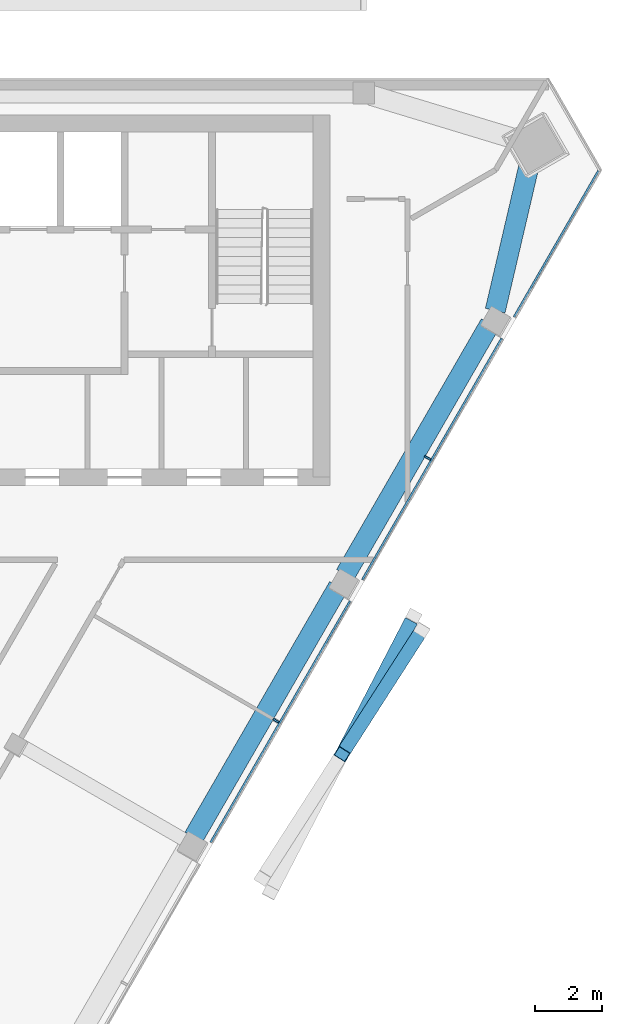
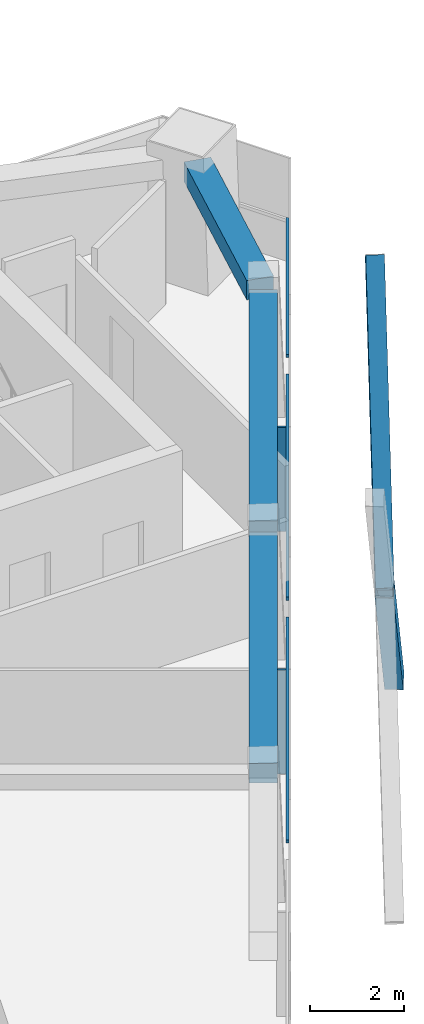
# One storey, part 4 of 10: 7 members, 3 beams, 1 element without a shape of its own.
"""IFC4 building model written with IfcOpenShell, lengths in metres."""

from ifc_helpers import new_model, si_unit, direction, frame, origin, origin_2d, place, context, subcontext, project, spatial, rectangle, hollow_rectangle, extrude, material, layer, layer_set, material_profile, profile_set, type_object, element, aggregate, save


model = new_model("IFC4")

# Units and contexts
model_context = context("Model", 3, precision=1e-05, world=origin(), true_north=direction((0.0, 1.0)))
body_context = subcontext(model_context, "Body", "Model", "MODEL_VIEW")
ifc_project = project(units=[si_unit("LENGTHUNIT", "METRE"), si_unit("AREAUNIT", "SQUARE_METRE"), si_unit("VOLUMEUNIT", "CUBIC_METRE"), si_unit("PLANEANGLEUNIT", "RADIAN"), si_unit("MASSUNIT", "GRAM", prefix="KILO")], contexts=[model_context])

# Site, building, storey
site_placement = place(None, origin())
site = spatial("IfcSite", under=ifc_project, at=site_placement, CompositionType="ELEMENT")
building_placement = place(site_placement, origin())
building = spatial("IfcBuilding", under=site, at=building_placement, Name="Altiplano Prism Tower", CompositionType="ELEMENT")
storey_placement = place(building_placement, frame((0.0, 0.0, 347.199951171875)))
storey = spatial("IfcBuildingStorey", under=building, at=storey_placement, Name="L90", CompositionType="ELEMENT", Elevation=347.199951171875)

# Curtain wall, members
ifc_material_1 = material(Name="Aluminium and glass", Category="aluminium")
ifc_layer = layer(ifc_material_1, 0.303955078125)
ifc_layer_set = layer_set([ifc_layer], Name="Aluminium and glass")
curtain_wall_type = type_object("IfcCurtainWallType", Name="CW2 lounge-band unitised glazing", PredefinedType="NOTDEFINED", material=ifc_layer_set)
curtain_wall_placement = place(storey_placement, origin())
curtain_wall = element("IfcCurtainWall", 1, at=curtain_wall_placement, inside=storey, type_object=curtain_wall_type, Name="CW2 curtain wall south-east face L90", PredefinedType="NOTDEFINED")
ifc_material_2 = material(Name="Aluminium", Category="aluminium")
ifc_material_profile_1 = material_profile(ifc_material_2, rectangle(XDim=0.199951171875, YDim=0.06005859375, at=origin_2d()), Name="CW2 mullion 60 x 200")
ifc_profile_set_1 = profile_set([ifc_material_profile_1], Name="Aluminium")
member_type_1 = type_object("IfcMemberType", Name="CW2 mullion 60 x 200", PredefinedType="MULLION", material=ifc_profile_set_1)
member_1_placement = place(storey_placement, frame((95.895263671875, 85.9248046875, 0.0), z_axis=(0.0, 0.0, 1.0), x_axis=(-0.866025399727, 0.500000007028, 0.0)))
member_1 = element("IfcMember", 2, at=member_1_placement, type_object=member_type_1, Name="CW2 mullion", PredefinedType="MULLION", context=body_context, shape_type="SweptSolid", body=[
    extrude(rectangle(XDim=0.199951171875, YDim=0.06005859375, at=origin_2d()), origin(), (0.0, 0.0, 1.0), 2.699951171875),
])
member_2_placement = place(storey_placement, frame((100.395263671875, 93.71923828125, 0.0), z_axis=(0.0, 0.0, 1.0), x_axis=(-0.866025399727, 0.500000007028, 0.0)))
member_2 = element("IfcMember", 3, at=member_2_placement, type_object=member_type_1, Name="CW2 mullion", PredefinedType="MULLION", context=body_context, shape_type="SweptSolid", body=[
    extrude(rectangle(XDim=0.199951171875, YDim=0.06005859375, at=origin_2d()), origin(), (0.0, 0.0, 1.0), 2.699951171875),
])
ifc_material_profile_2 = material_profile(ifc_material_2, rectangle(XDim=0.06005859375, YDim=0.080078125, at=origin_2d()), Name="CW2 transom 80 x 60")
ifc_profile_set_2 = profile_set([ifc_material_profile_2], Name="Aluminium")
member_type_2 = type_object("IfcMemberType", Name="CW2 transom 80 x 60", PredefinedType="USERDEFINED", material=ifc_profile_set_2)
member_3_placement = place(storey_placement, frame((93.960205078125, 82.313232421875, 1.10009765625), z_axis=(0.499983951678, 0.866034669089, 0.0), x_axis=(-0.866034669089, 0.499983951678, 0.0)))
member_3 = element("IfcMember", 4, at=member_3_placement, type_object=member_type_2, Name="CW2 transom", ObjectType="TRANSOM", PredefinedType="USERDEFINED", context=body_context, shape_type="SweptSolid", body=[
    extrude(rectangle(XDim=0.06005859375, YDim=0.080078125, at=origin_2d()), origin(), (0.0, 0.0, 1.0), 8.270263671875),
])
member_4_placement = place(storey_placement, frame((98.460205078125, 90.107421875, 1.10009765625), z_axis=(0.499983951678, 0.866034669089, 0.0), x_axis=(-0.866034669089, 0.499983951678, 0.0)))
member_4 = element("IfcMember", 5, at=member_4_placement, type_object=member_type_2, Name="CW2 transom", ObjectType="TRANSOM", PredefinedType="USERDEFINED", context=body_context, shape_type="SweptSolid", body=[
    extrude(rectangle(XDim=0.06005859375, YDim=0.080078125, at=origin_2d()), origin(), (0.0, 0.0, 1.0), 8.270263671875),
])
member_5_placement = place(storey_placement, frame((102.960205078125, 97.901611328125, 1.10009765625), z_axis=(0.499970419673, 0.866042481321, 0.0), x_axis=(-0.866042481321, 0.499970419673, 0.0)))
member_5 = element("IfcMember", 6, at=member_5_placement, type_object=member_type_2, Name="CW2 transom", ObjectType="TRANSOM", PredefinedType="USERDEFINED", context=body_context, shape_type="SweptSolid", body=[
    extrude(rectangle(XDim=0.06005859375, YDim=0.080078125, at=origin_2d()), origin(), (0.0, 0.0, 1.0), 5.085205078125),
])
aggregate(curtain_wall, [member_1, member_3, member_2, member_4, member_5])

# Beams
ifc_material_3 = material(Name="Concrete C60/75", Category="concrete")
ifc_material_profile_3 = material_profile(ifc_material_3, rectangle(XDim=0.60009765625, YDim=0.5, at=origin_2d()), Name="Edge beam 600x500")
ifc_profile_set_3 = profile_set([ifc_material_profile_3], Name="Concrete C60/75")
beam_type = type_object("IfcBeamType", Name="Edge beam 600x500", PredefinedType="SPANDREL", material=ifc_profile_set_3)
beam_placement = place(storey_placement, frame((102.402099609375, 98.091796875, 2.949951171875), z_axis=(0.226983391933, 0.973898629112, 0.0), x_axis=(-0.973898629112, 0.226983391933, 0.0)))
element("IfcBeam", 7, at=beam_placement, inside=storey, type_object=beam_type, Name="Edge beam P24-M2 L91", PredefinedType="SPANDREL", context=body_context, shape_type="SweptSolid", body=[
    extrude(rectangle(XDim=0.60009765625, YDim=0.5, at=origin_2d()), origin(), (0.0, 0.0, 1.0), 4.60791015625),
])
for number, where, z_axis, x_axis, name in (
    (8, (93.45458984375, 82.466796875, 2.949951171875), (0.500011935685, 0.866018512604, 0.0), (-0.866018512604, 0.500011935685, 0.0), "Edge beam P22-P23 L91"),
    (9, (97.95458984375, 90.260986328125, 2.949951171875), (0.500011935685, 0.866018512604, 0.0), (-0.866018512604, 0.500011935685, 0.0), "Edge beam P23-P24 L91"),
):
    element("IfcBeam", number, at=place(storey_placement, frame(where, z_axis=z_axis, x_axis=x_axis)), inside=storey, type_object=beam_type, Name=name, PredefinedType="SPANDREL", context=body_context, shape_type="SweptSolid", body=[
        extrude(rectangle(XDim=0.60009765625, YDim=0.5, at=origin_2d()), origin(), (0.0, 0.0, 1.0), 8.590087890625),
    ])

# Members
ifc_material_4 = material(Name="Steel S355", Category="steel")
ifc_material_profile_4 = material_profile(ifc_material_4, hollow_rectangle(XDim=0.39990234375, YDim=0.39990234375, WallThickness=0.02001953125, at=origin_2d()), Name="Mega brace Box 400x400x20")
ifc_profile_set_4 = profile_set([ifc_material_profile_4], Name="Steel S355")
member_type_3 = type_object("IfcMemberType", Name="Mega brace Box 400x400x20", PredefinedType="BRACE", material=ifc_profile_set_4)
member_6_placement = place(storey_placement, frame((97.857177734375, 84.9306640625, 4.699951171875), z_axis=(0.297991620003, 0.574301780757, 0.762481776193), x_axis=(-0.887624695965, 0.460567475093, 0.0)))
element("IfcMember", 10, at=member_6_placement, inside=storey, type_object=member_type_3, Name="Mega brace 11.2.2", PredefinedType="BRACE", context=body_context, shape_type="SweptSolid", body=[
    extrude(hollow_rectangle(XDim=0.39990234375, YDim=0.39990234375, WallThickness=0.02001953125, at=origin_2d()), origin(), (0.0, 0.0, 1.0), 7.127685546875),
])
member_7_placement = place(storey_placement, frame((100.220458984375, 88.609375, -0.734375), z_axis=(-0.338824162646, -0.527417611854, 0.779120561604), x_axis=(0.841345340272, -0.540497935614, 0.0)))
element("IfcMember", 11, at=member_7_placement, inside=storey, type_object=member_type_3, Name="Mega brace 11.2.3", PredefinedType="BRACE", context=body_context, shape_type="SweptSolid", body=[
    extrude(hollow_rectangle(XDim=0.39990234375, YDim=0.39990234375, WallThickness=0.02001953125, at=origin_2d()), origin(), (0.0, 0.0, 1.0), 6.974853515625),
])

save(model, "model.ifc")
